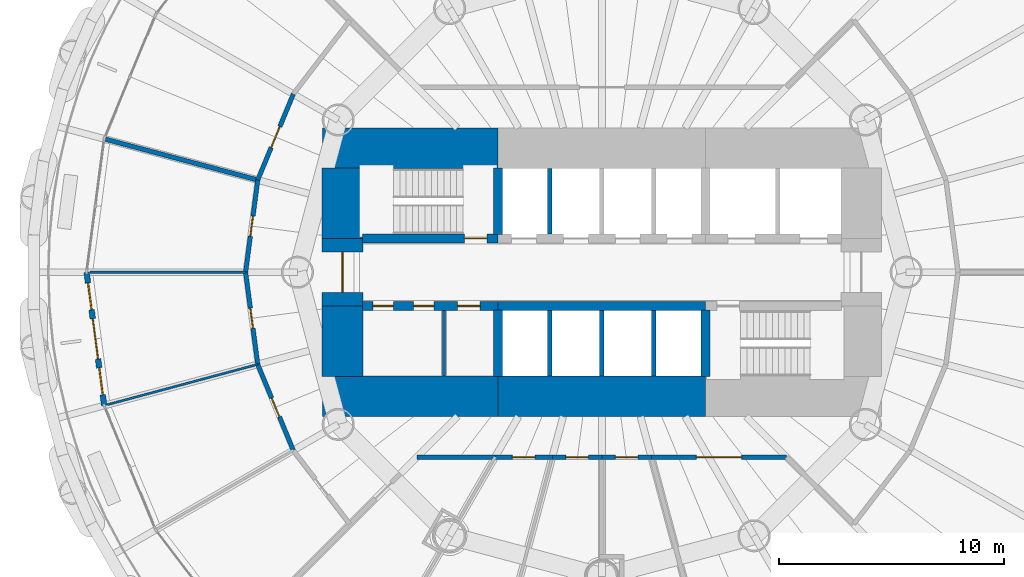
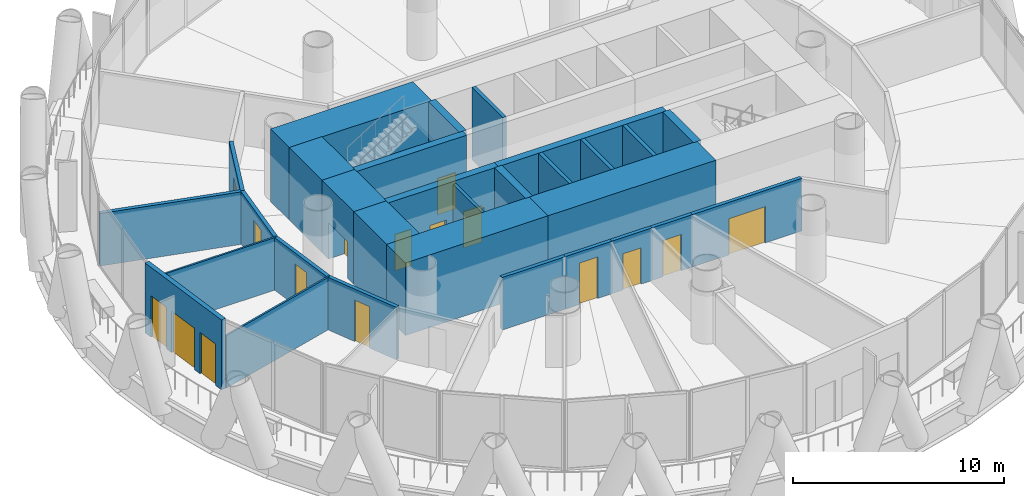
# One storey, part 10 of 16: 30 walls, 14 doors, 2 windows, 16 openings.
"""IFC4 building model written with IfcOpenShell, lengths in metres."""

import ifcopenshell
import ifcopenshell.guid

model = None  # the IFC model being written
_history = None  # IfcOwnerHistory: only IFC2X3 demands one
_inside = {}  # id of a spatial element -> (the spatial element, [elements in it])
_under = {}  # id of a project, library or spatial element -> (it, [spatial elements below it])
_declared = {}  # id of a project -> (the project, [libraries it declares])
_typed = {}  # id of a type object -> (the type object, [elements of that type])
_made_of = {}  # id of a material, layer set ... -> (it, [elements and type objects made of it])


def new_model(schema):
    """Start an empty IFC model of exactly this schema.

    Asked for "IFC4X3", IfcOpenShell would pick the latest addendum, in which some entities
    have other attributes; the version numbers below select the first issue.
    IFC2X3 requires an IfcOwnerHistory on every rooted entity: one is made here for all.
    """
    global model, _history
    if schema == "IFC4X3":
        model = ifcopenshell.file(schema_version=(4, 3, 0, 0))
    else:
        model = ifcopenshell.file(schema=schema)
    _inside.clear()
    _under.clear()
    _declared.clear()
    _typed.clear()
    _made_of.clear()
    _history = None
    if model.schema == "IFC2X3":
        org = make("IfcOrganization", Name="unknown")
        user = make(
            "IfcPersonAndOrganization",
            ThePerson=make("IfcPerson", FamilyName="unknown"),
            TheOrganization=org,
        )
        app = make(
            "IfcApplication",
            ApplicationDeveloper=org,
            Version="unknown",
            ApplicationFullName="unknown",
            ApplicationIdentifier="unknown",
        )
        _history = make(
            "IfcOwnerHistory",
            OwningUser=user,
            OwningApplication=app,
            ChangeAction="ADDED",
            CreationDate=0,
        )
    return model


def make(cls, **values):
    """One entity of the class cls with the attributes given. An attribute that is None is left unset."""
    return model.create_entity(
        cls, **{name: value for name, value in values.items() if value is not None}
    )


def rooted(cls, **values):
    """An entity with a GlobalId (a new one), such as an element, a storey or a relation."""
    return make(cls, GlobalId=ifcopenshell.guid.new(), OwnerHistory=_history, **values)


def si_unit(unit_type, name, prefix=None):
    """IfcSIUnit, for example si_unit("LENGTHUNIT", "METRE", prefix="MILLI")."""
    return make("IfcSIUnit", UnitType=unit_type, Prefix=prefix, Name=name)


def assignment(units):
    """IfcUnitAssignment: the units of a project."""
    return None if units is None else make("IfcUnitAssignment", Units=units)


def point(xyz):
    """IfcCartesianPoint."""
    return None if xyz is None else make("IfcCartesianPoint", Coordinates=xyz)


def direction(xyz):
    """IfcDirection."""
    return None if xyz is None else make("IfcDirection", DirectionRatios=xyz)


def frame(location, z_axis=None, x_axis=None):
    """IfcAxis2Placement3D, a coordinate frame: its origin and axes. An axis left out is left unset."""
    return make(
        "IfcAxis2Placement3D",
        Location=point(location),
        Axis=direction(z_axis),
        RefDirection=direction(x_axis),
    )


def frame_2d(location, x_axis=None):
    """IfcAxis2Placement2D, a coordinate frame in the plane: its origin and x axis."""
    return make(
        "IfcAxis2Placement2D", Location=point(location), RefDirection=direction(x_axis)
    )


def origin():
    """The frame at (0, 0, 0) with its axes left unset."""
    return frame((0.0, 0.0, 0.0))


def place(relative_to, where):
    """IfcLocalPlacement: puts the frame where relative to a parent placement (None: the world)."""
    return make(
        "IfcLocalPlacement", PlacementRelTo=relative_to, RelativePlacement=where
    )


def context(
    kind, dimensions, precision=None, world=None, true_north=None, identifier=None
):
    """IfcGeometricRepresentationContext, for example the 3D "Model" context."""
    return make(
        "IfcGeometricRepresentationContext",
        ContextIdentifier=identifier,
        ContextType=kind,
        CoordinateSpaceDimension=dimensions,
        Precision=precision,
        WorldCoordinateSystem=world,
        TrueNorth=true_north,
    )


def subcontext(parent, identifier, kind, view, scale=None):
    """IfcGeometricRepresentationSubContext, for example "Body" below "Model"."""
    return make(
        "IfcGeometricRepresentationSubContext",
        ContextIdentifier=identifier,
        ContextType=kind,
        ParentContext=parent,
        TargetScale=scale,
        TargetView=view,
    )


def project(units=None, contexts=None):
    """IfcProject with its units and contexts."""
    return rooted(
        "IfcProject",
        Name="project",
        RepresentationContexts=contexts,
        UnitsInContext=assignment(units),
    )


def spatial(cls, under=None, at=None, **own):
    """A site, building, storey or space (cls), placed at a placement, below another one or the project."""
    s = rooted(cls, ObjectPlacement=at, **own)
    if under is not None:
        _under.setdefault(under.id(), (under, []))[1].append(s)
    return s


def profile(cls, at=None, kind="AREA", **sizes):
    """A parametric profile (cls). Its sizes go by their IFC names, for example OverallWidth=200.0."""
    return make(cls, ProfileType=kind, Position=at, **sizes)


def rectangle(**sizes):
    """IfcRectangleProfileDef."""
    return profile("IfcRectangleProfileDef", **sizes)


def extrude(swept, where, along, depth):
    """IfcExtrudedAreaSolid: the profile swept, set in the frame where, extruded along a direction by depth."""
    return make(
        "IfcExtrudedAreaSolid",
        SweptArea=swept,
        Position=where,
        ExtrudedDirection=direction(along),
        Depth=depth,
    )


def shape(context_of_items, identifier, shape_type, items):
    """IfcShapeRepresentation: the items that make up one representation, for example the "Body"."""
    return make(
        "IfcShapeRepresentation",
        ContextOfItems=context_of_items,
        RepresentationIdentifier=identifier,
        RepresentationType=shape_type,
        Items=items,
    )


def material(Name=None, Category=None):
    """IfcMaterial."""
    return make("IfcMaterial", Name=Name, Category=Category)


def layer(
    of_material, thickness, ventilated=None, Name=None, Category=None, Priority=None
):
    """IfcMaterialLayer: one layer of a wall or slab, of a material (None: an air gap)."""
    return make(
        "IfcMaterialLayer",
        Material=of_material,
        LayerThickness=thickness,
        IsVentilated=ventilated,
        Name=Name,
        Category=Category,
        Priority=Priority,
    )


def layer_set(layers, Name=None):
    """IfcMaterialLayerSet."""
    return make("IfcMaterialLayerSet", MaterialLayers=layers, LayerSetName=Name)


def made_of(thing, what):
    """Note that an element or type object is made of a material, layer set ...; save() writes the relation."""
    if what is not None:
        _made_of.setdefault(what.id(), (what, []))[1].append(thing)
    return thing


def type_object(cls, material=None, **own):
    """A type object (cls), such as IfcWallType, which elements share."""
    return made_of(rooted(cls, **own), material)


def element(
    cls,
    number,
    at=None,
    inside=None,
    cuts=None,
    type_object=None,
    material=None,
    context=None,
    identifier="Body",
    shape_type=None,
    held_by="IfcProductDefinitionShape",
    body=None,
    shapes=None,
    **own,
):
    """One element of the class cls, such as IfcWall. Its Tag is "e" and its number.

    at: its placement. inside: the storey or other place that contains it. cuts: it is an
    opening in that element (IfcRelVoidsElement). A single representation is given by context,
    identifier, shape_type and body (its items); several are given by shapes. held_by: the class
    of the entity that holds the representations. save() writes the other relations.
    """
    e = rooted(cls, Tag="e%d" % number, ObjectPlacement=at, **own)
    if body is not None:
        shapes = [shape(context, identifier, shape_type, body)]
    if shapes is not None:
        e.Representation = make(held_by, Representations=shapes)
    if inside is not None:
        _inside.setdefault(inside.id(), (inside, []))[1].append(e)
    if cuts is not None:
        rooted(
            "IfcRelVoidsElement", RelatingBuildingElement=cuts, RelatedOpeningElement=e
        )
    if type_object is not None:
        _typed.setdefault(type_object.id(), (type_object, []))[1].append(e)
    return made_of(e, material)


def fill(opening, filler):
    """IfcRelFillsElement: the door or window that sits in an opening."""
    return rooted(
        "IfcRelFillsElement",
        RelatingOpeningElement=opening,
        RelatedBuildingElement=filler,
    )


def aggregate(whole, parts):
    """IfcRelAggregates: a whole, such as a stair, and the parts it consists of."""
    return rooted("IfcRelAggregates", RelatingObject=whole, RelatedObjects=parts)


def save(model, path):
    """Write the relations noted so far, then the file.

    IfcRelAggregates (storeys below a building ...), IfcRelContainedInSpatialStructure (elements
    in a storey), IfcRelDefinesByType, IfcRelAssociatesMaterial and IfcRelDeclares: one each for
    every whole, place, type object, material and project.
    """
    for whole, parts in _under.values():
        aggregate(whole, parts)
    for where, things in _inside.values():
        rooted(
            "IfcRelContainedInSpatialStructure",
            RelatedElements=things,
            RelatingStructure=where,
        )
    for kind, things in _typed.values():
        rooted("IfcRelDefinesByType", RelatedObjects=things, RelatingType=kind)
    for what, things in _made_of.values():
        rooted("IfcRelAssociatesMaterial", RelatedObjects=things, RelatingMaterial=what)
    for by, libraries in _declared.values():
        rooted("IfcRelDeclares", RelatingContext=by, RelatedDefinitions=libraries)
    model.write(path)


model = new_model("IFC4")

# Units and contexts
model_context = context("Model", 3, precision=1e-05, world=origin(), true_north=direction((0.0, 1.0)))
body_context = subcontext(model_context, "Body", "Model", "MODEL_VIEW")
ifc_project = project(units=[si_unit("LENGTHUNIT", "METRE"), si_unit("AREAUNIT", "SQUARE_METRE"), si_unit("VOLUMEUNIT", "CUBIC_METRE"), si_unit("PLANEANGLEUNIT", "RADIAN"), si_unit("MASSUNIT", "GRAM", prefix="KILO")], contexts=[model_context])

# Site, building, storey
site_placement = place(None, origin())
site = spatial("IfcSite", under=ifc_project, at=site_placement, CompositionType="ELEMENT")
building_placement = place(site_placement, origin())
building = spatial("IfcBuilding", under=site, at=building_placement, Name="Qaws Media Tower", CompositionType="ELEMENT")
storey_placement = place(building_placement, frame((0.0, 0.0, 63.800048828125)))
storey = spatial("IfcBuildingStorey", under=building, at=storey_placement, Name="L13", CompositionType="ELEMENT", Elevation=63.800048828125)

# Wall, openings, door, windows
ifc_material_1 = material(Name="Precast concrete, exposed finish", Category="concrete")
ifc_layer_1 = layer(ifc_material_1, 0.25)
ifc_layer_set_1 = layer_set([ifc_layer_1], Name="Balcony door wall 250")
wall_type_1 = type_object("IfcWallType", Name="Balcony door wall 250", PredefinedType="SOLIDWALL", material=ifc_layer_set_1)
wall_1_placement = place(storey_placement, frame((37.14990234375, 50.0, 0.0), z_axis=(0.0, 0.0, 1.0), x_axis=(0.130560384174, -0.991440359318, 0.0)))
wall_1 = element("IfcWall", 1, at=wall_1_placement, inside=storey, type_object=wall_type_1, Name="W141 EW1 balcony door wall L13-13", PredefinedType="SOLIDWALL", context=body_context, shape_type="SweptSolid", body=[
    extrude(rectangle(XDim=5.965087890625, YDim=0.25, at=frame_2d((2.982421875, 0.0))), origin(), (0.0, 0.0, 1.0), 4.0400390625),
])
opening_1_placement = place(wall_1_placement, frame((2.08251953125, 0.0, 0.0)))
opening_1 = element("IfcOpeningElement", 2, at=opening_1_placement, cuts=wall_1, Name="Opening D7", PredefinedType="OPENING", context=body_context, shape_type="SweptSolid", body=[
    extrude(rectangle(XDim=1.800048828125, YDim=2.39990234375, at=frame_2d((0.89990234375, 1.199951171875))), frame((0.0, 0.135009765625, 0.0), z_axis=(0.0, -1.0, 0.0), x_axis=(1.0, 0.0, 0.0)), (0.0, 0.0, 1.0), 0.27001953125),
])
opening_2_placement = place(wall_1_placement, frame((0.482421875, 0.0, 0.0)))
opening_2 = element("IfcOpeningElement", 3, at=opening_2_placement, cuts=wall_1, Name="Opening W1", PredefinedType="OPENING", context=body_context, shape_type="SweptSolid", body=[
    extrude(rectangle(XDim=1.199951171875, YDim=2.39990234375, at=frame_2d((0.60009765625, 1.199951171875))), frame((0.0, 0.135009765625, 0.0), z_axis=(0.0, -1.0, 0.0), x_axis=(1.0, 0.0, 0.0)), (0.0, 0.0, 1.0), 0.27001953125),
])
opening_3_placement = place(wall_1_placement, frame((4.282470703125, 0.0, 0.0)))
opening_3 = element("IfcOpeningElement", 4, at=opening_3_placement, cuts=wall_1, Name="Opening W1", PredefinedType="OPENING", context=body_context, shape_type="SweptSolid", body=[
    extrude(rectangle(XDim=1.199951171875, YDim=2.39990234375, at=frame_2d((0.60009765625, 1.199951171875))), frame((0.0, 0.135009765625, 0.0), z_axis=(0.0, -1.0, 0.0), x_axis=(1.0, 0.0, 0.0)), (0.0, 0.0, 1.0), 0.27001953125),
])
ifc_material_2 = material(Name="Aluminium and clear glass", Category="aluminium")
door_type_1 = type_object("IfcDoorType", Name="Balcony door pair 1800", OperationType="DOUBLE_DOOR_SLIDING", PredefinedType="DOOR", material=ifc_material_2)
door_1_placement = place(opening_1_placement, origin())
door_1 = element("IfcDoor", 5, at=door_1_placement, inside=storey, type_object=door_type_1, Name="D7 balcony door L13-13 in wall W141", OperationType="DOUBLE_DOOR_SLIDING", OverallHeight=2.39990234375, OverallWidth=1.800048828125, PredefinedType="DOOR", context=body_context, shape_type="SweptSolid", body=[
    extrude(rectangle(XDim=1.800048828125, YDim=2.39990234375, at=frame_2d((0.89990234375, 1.199951171875))), frame((0.0, 0.02490234375, 0.0), z_axis=(0.0, -1.0, 0.0), x_axis=(1.0, 0.0, 0.0)), (0.0, 0.0, 1.0), 0.050048828125),
])
fill(opening_1, door_1)
ifc_material_3 = material(Name="Aluminium and clear glass", Category="aluminium")
window_type = type_object("IfcWindowType", Name="Balcony side window 1200", PartitioningType="SINGLE_PANEL", PredefinedType="WINDOW", material=ifc_material_3)
window_1_placement = place(opening_2_placement, origin())
window_1 = element("IfcWindow", 6, at=window_1_placement, inside=storey, type_object=window_type, Name="W1 balcony side light L13-13L", OverallHeight=2.39990234375, OverallWidth=1.199951171875, PartitioningType="SINGLE_PANEL", PredefinedType="WINDOW", context=body_context, shape_type="SweptSolid", body=[
    extrude(rectangle(XDim=1.199951171875, YDim=2.39990234375, at=frame_2d((0.60009765625, 1.199951171875))), frame((0.0, 0.030029296875, 0.0), z_axis=(0.0, -1.0, 0.0), x_axis=(1.0, 0.0, 0.0)), (0.0, 0.0, 1.0), 0.06005859375),
])
fill(opening_2, window_1)
window_2_placement = place(opening_3_placement, origin())
window_2 = element("IfcWindow", 7, at=window_2_placement, inside=storey, type_object=window_type, Name="W1 balcony side light L13-13R", OverallHeight=2.39990234375, OverallWidth=1.199951171875, PartitioningType="SINGLE_PANEL", PredefinedType="WINDOW", context=body_context, shape_type="SweptSolid", body=[
    extrude(rectangle(XDim=1.199951171875, YDim=2.39990234375, at=frame_2d((0.60009765625, 1.199951171875))), frame((0.0, 0.030029296875, 0.0), z_axis=(0.0, -1.0, 0.0), x_axis=(1.0, 0.0, 0.0)), (0.0, 0.0, 1.0), 0.06005859375),
])
fill(opening_3, window_2)

# Wall, opening, door
ifc_material_4 = material(Name="Concrete C60/75", Category="concrete")
ifc_layer_2 = layer(ifc_material_4, 0.39990234375)
ifc_layer_set_2 = layer_set([ifc_layer_2], Name="Core inner wall 400")
wall_type_2 = type_object("IfcWallType", Name="Core inner wall 400", PredefinedType="SHEAR", material=ifc_layer_set_2)
wall_2_placement = place(storey_placement, frame((49.3798828125, 51.5, 0.0), z_axis=(0.0, 0.0, 1.0), x_axis=(1.0, 0.0, 0.0)))
wall_2 = element("IfcWall", 8, at=wall_2_placement, inside=storey, type_object=wall_type_2, Name="W311 SW4 core wall SPNW L13", PredefinedType="SHEAR", context=body_context, shape_type="SweptSolid", body=[
    extrude(rectangle(XDim=6.02001953125, YDim=0.39990234375, at=frame_2d((3.010009765625, 0.0))), origin(), (0.0, 0.0, 1.0), 4.199951171875),
])
opening_4_placement = place(wall_2_placement, frame((4.52001953125, 0.0, 0.0)))
opening_4 = element("IfcOpeningElement", 9, at=opening_4_placement, cuts=wall_2, Name="Opening D1", PredefinedType="OPENING", context=body_context, shape_type="SweptSolid", body=[
    extrude(rectangle(XDim=1.0, YDim=2.10009765625, at=frame_2d((0.5, 1.050048828125))), frame((0.0, 0.2099609375, 0.0), z_axis=(0.0, -1.0, 0.0), x_axis=(1.0, 0.0, 0.0)), (0.0, 0.0, 1.0), 0.419921875),
])
ifc_material_5 = material(Name="Steel, fire rated", Category="steel")
door_type_2 = type_object("IfcDoorType", Name="Stair door 1000 FD120", OperationType="SINGLE_SWING_LEFT", PredefinedType="DOOR", material=ifc_material_5)
door_2_placement = place(opening_4_placement, origin())
door_2 = element("IfcDoor", 10, at=door_2_placement, inside=storey, type_object=door_type_2, Name="D1 stair S1 door L13 in wall W311", OperationType="SINGLE_SWING_LEFT", OverallHeight=2.10009765625, OverallWidth=1.0, PredefinedType="DOOR", context=body_context, shape_type="SweptSolid", body=[
    extrude(rectangle(XDim=1.0, YDim=2.10009765625, at=frame_2d((0.5, 1.050048828125))), frame((0.0, 0.02490234375, 0.0), z_axis=(0.0, -1.0, 0.0), x_axis=(1.0, 0.0, 0.0)), (0.0, 0.0, 1.0), 0.050048828125),
])
fill(opening_4, door_2)

# Wall, openings, doors
wall_3_placement = place(storey_placement, frame((49.3798828125, 48.5, 0.0), z_axis=(0.0, 0.0, 1.0), x_axis=(1.0, 0.0, 0.0)))
wall_3 = element("IfcWall", 11, at=wall_3_placement, inside=storey, type_object=wall_type_2, Name="W310 SW4 core wall SPSW L13", PredefinedType="SHEAR", context=body_context, shape_type="SweptSolid", body=[
    extrude(rectangle(XDim=6.02001953125, YDim=0.39990234375, at=frame_2d((3.010009765625, 0.0))), origin(), (0.0, 0.0, 1.0), 4.199951171875),
])
opening_5_placement = place(wall_3_placement, frame((0.469970703125, 0.0, 0.0)))
opening_5 = element("IfcOpeningElement", 12, at=opening_5_placement, cuts=wall_3, Name="Opening D25", PredefinedType="OPENING", context=body_context, shape_type="SweptSolid", body=[
    extrude(rectangle(XDim=0.89990234375, YDim=2.10009765625, at=frame_2d((0.449951171875, 1.050048828125))), frame((0.0, 0.2099609375, 0.0), z_axis=(0.0, -1.0, 0.0), x_axis=(1.0, 0.0, 0.0)), (0.0, 0.0, 1.0), 0.419921875),
])
opening_6_placement = place(wall_3_placement, frame((2.27001953125, 0.0, 0.0)))
opening_6 = element("IfcOpeningElement", 13, at=opening_6_placement, cuts=wall_3, Name="Opening D25", PredefinedType="OPENING", context=body_context, shape_type="SweptSolid", body=[
    extrude(rectangle(XDim=0.89990234375, YDim=2.10009765625, at=frame_2d((0.449951171875, 1.050048828125))), frame((0.0, 0.2099609375, 0.0), z_axis=(0.0, -1.0, 0.0), x_axis=(1.0, 0.0, 0.0)), (0.0, 0.0, 1.0), 0.419921875),
])
opening_7_placement = place(wall_3_placement, frame((4.219970703125, 0.0, 0.0)))
opening_7 = element("IfcOpeningElement", 14, at=opening_7_placement, cuts=wall_3, Name="Opening D4", PredefinedType="OPENING", context=body_context, shape_type="SweptSolid", body=[
    extrude(rectangle(XDim=1.0, YDim=2.10009765625, at=frame_2d((0.5, 1.050048828125))), frame((0.0, 0.2099609375, 0.0), z_axis=(0.0, -1.0, 0.0), x_axis=(1.0, 0.0, 0.0)), (0.0, 0.0, 1.0), 0.419921875),
])
ifc_material_6 = material(Name="Timber veneered", Category="wood")
door_type_3 = type_object("IfcDoorType", Name="Accessible WC door 1000", OperationType="SLIDING_TO_LEFT", PredefinedType="DOOR", material=ifc_material_6)
door_3_placement = place(opening_7_placement, origin())
door_3 = element("IfcDoor", 15, at=door_3_placement, inside=storey, type_object=door_type_3, Name="D4 toilet door 3 L13 in wall W310", OperationType="SLIDING_TO_LEFT", OverallHeight=2.10009765625, OverallWidth=1.0, PredefinedType="DOOR", context=body_context, shape_type="SweptSolid", body=[
    extrude(rectangle(XDim=1.0, YDim=2.10009765625, at=frame_2d((0.5, 1.050048828125))), frame((0.0, 0.02490234375, 0.0), z_axis=(0.0, -1.0, 0.0), x_axis=(1.0, 0.0, 0.0)), (0.0, 0.0, 1.0), 0.050048828125),
])
fill(opening_7, door_3)
ifc_material_7 = material(Name="Steel, fire rated", Category="steel")
door_type_4 = type_object("IfcDoorType", Name="Core service door 900", OperationType="SINGLE_SWING_RIGHT", PredefinedType="DOOR", material=ifc_material_7)
door_4_placement = place(opening_5_placement, origin())
door_4 = element("IfcDoor", 16, at=door_4_placement, inside=storey, type_object=door_type_4, Name="D25 toilet door 1 L13 in wall W310", OperationType="SINGLE_SWING_RIGHT", OverallHeight=2.10009765625, OverallWidth=0.89990234375, PredefinedType="DOOR", context=body_context, shape_type="SweptSolid", body=[
    extrude(rectangle(XDim=0.89990234375, YDim=2.10009765625, at=frame_2d((0.449951171875, 1.050048828125))), frame((0.0, 0.02490234375, 0.0), z_axis=(0.0, -1.0, 0.0), x_axis=(1.0, 0.0, 0.0)), (0.0, 0.0, 1.0), 0.050048828125),
])
fill(opening_5, door_4)
door_5_placement = place(opening_6_placement, origin())
door_5 = element("IfcDoor", 17, at=door_5_placement, inside=storey, type_object=door_type_4, Name="D25 toilet door 2 L13 in wall W310", OperationType="SINGLE_SWING_RIGHT", OverallHeight=2.10009765625, OverallWidth=0.89990234375, PredefinedType="DOOR", context=body_context, shape_type="SweptSolid", body=[
    extrude(rectangle(XDim=0.89990234375, YDim=2.10009765625, at=frame_2d((0.449951171875, 1.050048828125))), frame((0.0, 0.02490234375, 0.0), z_axis=(0.0, -1.0, 0.0), x_axis=(1.0, 0.0, 0.0)), (0.0, 0.0, 1.0), 0.050048828125),
])
fill(opening_6, door_5)

# Walls
wall_4_placement = place(storey_placement, frame((55.39990234375, 48.5, 0.0), z_axis=(0.0, 0.0, 1.0), x_axis=(1.0, 0.0, 0.0)))
element("IfcWall", 18, at=wall_4_placement, inside=storey, type_object=wall_type_2, Name="W313 SW4 core wall SPS L13", PredefinedType="SHEAR", context=body_context, shape_type="SweptSolid", body=[
    extrude(rectangle(XDim=9.2001953125, YDim=0.39990234375, at=frame_2d((4.60009765625, 0.0))), origin(), (0.0, 0.0, 1.0), 4.199951171875),
])
for number, where, z_axis, x_axis, name in (
    (19, (55.39990234375, 51.679931640625, 0.0), (0.0, 0.0, 1.0), (0.0, 1.0, 0.0), "W315 SW4 core wall XNW L13"),
    (20, (55.39990234375, 48.320068359375, 0.0), (0.0, 0.0, 1.0), (0.0, -1.0, 0.0), "W312 SW4 core wall XSW L13"),
    (21, (64.60009765625, 48.320068359375, 0.0), (0.0, 0.0, 1.0), (0.0, -1.0, 0.0), "W316 SW4 core wall XSE L13"),
):
    element("IfcWall", number, at=place(storey_placement, frame(where, z_axis=z_axis, x_axis=x_axis)), inside=storey, type_object=wall_type_2, Name=name, PredefinedType="SHEAR", context=body_context, shape_type="SweptSolid", body=[
        extrude(rectangle(XDim=2.940185546875, YDim=0.39990234375, at=frame_2d((1.47021484375, 0.0))), origin(), (0.0, 0.0, 1.0), 4.199951171875),
    ])
ifc_material_8 = material(Name="Concrete C60/75", Category="concrete")
ifc_layer_3 = layer(ifc_material_8, 1.800048828125)
ifc_layer_set_3 = layer_set([ifc_layer_3], Name="Core wall 1800")
wall_type_3 = type_object("IfcWallType", Name="Core wall 1800", PredefinedType="SHEAR", material=ifc_layer_set_3)
for number, where, z_axis, x_axis, name in (
    (22, (47.60009765625, 55.5, 0.0), (0.0, 0.0, 1.0), (1.0, 0.0, 0.0), "W399 SW11 core wall NW L13"),
    (23, (47.60009765625, 44.5, 0.0), (0.0, 0.0, 1.0), (1.0, 0.0, 0.0), "W398 SW11 core wall SW L13"),
):
    element("IfcWall", number, at=place(storey_placement, frame(where, z_axis=z_axis, x_axis=x_axis)), inside=storey, type_object=wall_type_3, Name=name, PredefinedType="SHEAR", context=body_context, shape_type="SweptSolid", body=[
        extrude(rectangle(XDim=7.7998046875, YDim=1.800048828125, at=frame_2d((3.89990234375, 0.0))), origin(), (0.0, 0.0, 1.0), 4.199951171875),
    ])
wall_5_placement = place(storey_placement, frame((55.39990234375, 44.5, 0.0), z_axis=(0.0, 0.0, 1.0), x_axis=(1.0, 0.0, 0.0)))
element("IfcWall", 24, at=wall_5_placement, inside=storey, type_object=wall_type_3, Name="W403 SW11 core wall S L13", PredefinedType="SHEAR", context=body_context, shape_type="SweptSolid", body=[
    extrude(rectangle(XDim=9.2001953125, YDim=1.800048828125, at=frame_2d((4.60009765625, 0.0))), origin(), (0.0, 0.0, 1.0), 4.199951171875),
])
wall_6_placement = place(storey_placement, frame((48.5, 45.3798828125, 0.0), z_axis=(0.0, 0.0, 1.0), x_axis=(0.0, 1.0, 0.0)))
element("IfcWall", 25, at=wall_6_placement, inside=storey, type_object=wall_type_3, Name="W400 SW11 core wall WS L13", PredefinedType="SHEAR", context=body_context, shape_type="SweptSolid", body=[
    extrude(rectangle(XDim=3.1201171875, YDim=1.800048828125, at=frame_2d((1.56005859375, 0.0))), origin(), (0.0, 0.0, 1.0), 4.199951171875),
])

# Wall, opening, door
wall_7_placement = place(storey_placement, frame((48.5, 48.5, 0.0), z_axis=(0.0, 0.0, 1.0), x_axis=(0.0, 1.0, 0.0)))
wall_7 = element("IfcWall", 26, at=wall_7_placement, inside=storey, type_object=wall_type_3, Name="W401 SW11 core wall W L13", PredefinedType="SHEAR", context=body_context, shape_type="SweptSolid", body=[
    extrude(rectangle(XDim=3.0, YDim=1.800048828125, at=frame_2d((1.5, 0.0))), origin(), (0.0, 0.0, 1.0), 4.199951171875),
])
opening_8_placement = place(wall_7_placement, frame((0.60009765625, 0.0, 0.0)))
opening_8 = element("IfcOpeningElement", 27, at=opening_8_placement, cuts=wall_7, Name="Opening D2", PredefinedType="OPENING", context=body_context, shape_type="SweptSolid", body=[
    extrude(rectangle(XDim=1.800048828125, YDim=2.10009765625, at=frame_2d((0.89990234375, 1.050048828125))), frame((0.0, 0.909912109375, 0.0), z_axis=(0.0, -1.0, 0.0), x_axis=(1.0, 0.0, 0.0)), (0.0, 0.0, 1.0), 1.820068359375),
])
ifc_material_9 = material(Name="Steel and glass, fire rated", Category="steel")
door_type_5 = type_object("IfcDoorType", Name="Lobby door pair 1800 FD60", OperationType="DOUBLE_DOOR_DOUBLE_SWING", PredefinedType="DOOR", material=ifc_material_9)
door_6_placement = place(opening_8_placement, origin())
door_6 = element("IfcDoor", 28, at=door_6_placement, inside=storey, type_object=door_type_5, Name="D2 core lobby door W L13 in wall W401", OperationType="DOUBLE_DOOR_DOUBLE_SWING", OverallHeight=2.10009765625, OverallWidth=1.800048828125, PredefinedType="DOOR", context=body_context, shape_type="SweptSolid", body=[
    extrude(rectangle(XDim=1.800048828125, YDim=2.10009765625, at=frame_2d((0.89990234375, 1.050048828125))), frame((0.0, 0.02490234375, 0.0), z_axis=(0.0, -1.0, 0.0), x_axis=(1.0, 0.0, 0.0)), (0.0, 0.0, 1.0), 0.050048828125),
])
fill(opening_8, door_6)

# Walls
wall_8_placement = place(storey_placement, frame((48.5, 51.5, 0.0), z_axis=(0.0, 0.0, 1.0), x_axis=(0.0, 1.0, 0.0)))
element("IfcWall", 29, at=wall_8_placement, inside=storey, type_object=wall_type_3, Name="W402 SW11 core wall WN L13", PredefinedType="SHEAR", context=body_context, shape_type="SweptSolid", body=[
    extrude(rectangle(XDim=3.1201171875, YDim=1.800048828125, at=frame_2d((1.56005859375, 0.0))), origin(), (0.0, 0.0, 1.0), 4.199951171875),
])
ifc_material_10 = material(Name="Gypsum board on 70 metal studs, single layer each side", Category="gypsum")
ifc_layer_4 = layer(ifc_material_10, 0.10009765625)
ifc_layer_set_4 = layer_set([ifc_layer_4], Name="Office stud partition 100")
wall_type_4 = type_object("IfcWallType", Name="Office stud partition 100", PredefinedType="PARTITIONING", material=ifc_layer_set_4)
for number, where, z_axis, x_axis, name in (
    (30, (44.199951171875, 50.0, 0.0), (0.0, 0.0, 1.0), (-1.0, 0.0, 0.0), "W643 IW4 partition L13"),
    (31, (44.73828125, 45.91064453125, 0.0), (0.0, 0.0, 1.0), (-0.96592991555, -0.258803783291, 0.0), "W644 IW4 partition L13"),
):
    element("IfcWall", number, at=place(storey_placement, frame(where, z_axis=z_axis, x_axis=x_axis)), inside=storey, type_object=wall_type_4, Name=name, PredefinedType="PARTITIONING", context=body_context, shape_type="SweptSolid", body=[
        extrude(rectangle(XDim=6.909912109375, YDim=0.10009765625, at=frame_2d((3.455078125, 0.0))), origin(), (0.0, 0.0, 1.0), 3.0400390625),
    ])

# Wall, opening, door
ifc_material_11 = material(Name="Gypsum board on galvanised metal studs, acoustic double stud, deflection head", Category="gypsum")
ifc_layer_5 = layer(ifc_material_11, 0.199951171875)
ifc_layer_set_5 = layer_set([ifc_layer_5], Name="Room partition 200")
wall_type_5 = type_object("IfcWallType", Name="Room partition 200", PredefinedType="PARTITIONING", material=ifc_layer_set_5)
wall_9_placement = place(storey_placement, frame((46.31689453125, 42.10009765625, 0.0), z_axis=(0.0, 0.0, 1.0), x_axis=(-0.382731667114, 0.923859551549, 0.0)))
wall_9 = element("IfcWall", 32, at=wall_9_placement, inside=storey, type_object=wall_type_5, Name="W946 IW3 partition L13", PredefinedType="PARTITIONING", context=body_context, shape_type="SweptSolid", body=[
    extrude(rectangle(XDim=4.12451171875, YDim=0.199951171875, at=frame_2d((2.062255859375, 0.0))), origin(), (0.0, 0.0, 1.0), 3.0400390625),
])
opening_9_placement = place(wall_9_placement, frame((1.6123046875, 0.0, 0.0)))
opening_9 = element("IfcOpeningElement", 33, at=opening_9_placement, cuts=wall_9, Name="Opening D12", PredefinedType="OPENING", context=body_context, shape_type="SweptSolid", body=[
    extrude(rectangle(XDim=0.89990234375, YDim=2.39990234375, at=frame_2d((0.449951171875, 1.199951171875))), frame((0.0, 0.10986328125, 0.0), z_axis=(0.0, -1.0, 0.0), x_axis=(1.0, 0.0, 0.0)), (0.0, 0.0, 1.0), 0.219970703125),
])
ifc_material_12 = material(Name="Timber veneered, full height", Category="wood")
door_type_6 = type_object("IfcDoorType", Name="Office door 900x2400", OperationType="SINGLE_SWING_LEFT", PredefinedType="DOOR", material=ifc_material_12)
door_7_placement = place(opening_9_placement, origin())
door_7 = element("IfcDoor", 34, at=door_7_placement, inside=storey, type_object=door_type_6, Name="D12 Editor's office door L13 in wall W946", OperationType="SINGLE_SWING_LEFT", OverallHeight=2.39990234375, OverallWidth=0.89990234375, PredefinedType="DOOR", context=body_context, shape_type="SweptSolid", body=[
    extrude(rectangle(XDim=0.89990234375, YDim=2.39990234375, at=frame_2d((0.449951171875, 1.199951171875))), frame((0.0, 0.02490234375, 0.0), z_axis=(0.0, -1.0, 0.0), x_axis=(1.0, 0.0, 0.0)), (0.0, 0.0, 1.0), 0.050048828125),
])
fill(opening_9, door_7)

wall_10_placement = place(storey_placement, frame((44.73828125, 45.91064453125, 0.0), z_axis=(0.0, 0.0, 1.0), x_axis=(-0.130515758099, 0.991446234996, 0.0)))
wall_10 = element("IfcWall", 35, at=wall_10_placement, inside=storey, type_object=wall_type_5, Name="W943 IW3 partition L13", PredefinedType="PARTITIONING", context=body_context, shape_type="SweptSolid", body=[
    extrude(rectangle(XDim=4.124755859375, YDim=0.199951171875, at=frame_2d((2.0625, 0.0))), origin(), (0.0, 0.0, 1.0), 3.0400390625),
])
opening_10_placement = place(wall_10_placement, frame((1.6123046875, 0.0, 0.0)))
opening_10 = element("IfcOpeningElement", 36, at=opening_10_placement, cuts=wall_10, Name="Opening D12", PredefinedType="OPENING", context=body_context, shape_type="SweptSolid", body=[
    extrude(rectangle(XDim=0.89990234375, YDim=2.39990234375, at=frame_2d((0.449951171875, 1.199951171875))), frame((0.0, 0.10986328125, 0.0), z_axis=(0.0, -1.0, 0.0), x_axis=(1.0, 0.0, 0.0)), (0.0, 0.0, 1.0), 0.219970703125),
])
door_8_placement = place(opening_10_placement, origin())
door_8 = element("IfcDoor", 37, at=door_8_placement, inside=storey, type_object=door_type_6, Name="D12 Editor's office door L13 in wall W943", OperationType="SINGLE_SWING_LEFT", OverallHeight=2.39990234375, OverallWidth=0.89990234375, PredefinedType="DOOR", context=body_context, shape_type="SweptSolid", body=[
    extrude(rectangle(XDim=0.89990234375, YDim=2.39990234375, at=frame_2d((0.449951171875, 1.199951171875))), frame((0.0, 0.02490234375, 0.0), z_axis=(0.0, -1.0, 0.0), x_axis=(1.0, 0.0, 0.0)), (0.0, 0.0, 1.0), 0.050048828125),
])
fill(opening_10, door_8)

wall_11_placement = place(storey_placement, frame((44.199951171875, 50.0, 0.0), z_axis=(0.0, 0.0, 1.0), x_axis=(0.130515758099, 0.991446234996, 0.0)))
wall_11 = element("IfcWall", 38, at=wall_11_placement, inside=storey, type_object=wall_type_5, Name="W941 IW3 partition L13", PredefinedType="PARTITIONING", context=body_context, shape_type="SweptSolid", body=[
    extrude(rectangle(XDim=4.124755859375, YDim=0.199951171875, at=frame_2d((2.0625, 0.0))), origin(), (0.0, 0.0, 1.0), 3.0400390625),
])
opening_11_placement = place(wall_11_placement, frame((1.6123046875, 0.0, 0.0)))
opening_11 = element("IfcOpeningElement", 39, at=opening_11_placement, cuts=wall_11, Name="Opening D12", PredefinedType="OPENING", context=body_context, shape_type="SweptSolid", body=[
    extrude(rectangle(XDim=0.89990234375, YDim=2.39990234375, at=frame_2d((0.449951171875, 1.199951171875))), frame((0.0, 0.10986328125, 0.0), z_axis=(0.0, -1.0, 0.0), x_axis=(1.0, 0.0, 0.0)), (0.0, 0.0, 1.0), 0.219970703125),
])
door_9_placement = place(opening_11_placement, origin())
door_9 = element("IfcDoor", 40, at=door_9_placement, inside=storey, type_object=door_type_6, Name="D12 Editor's office door L13 in wall W941", OperationType="SINGLE_SWING_LEFT", OverallHeight=2.39990234375, OverallWidth=0.89990234375, PredefinedType="DOOR", context=body_context, shape_type="SweptSolid", body=[
    extrude(rectangle(XDim=0.89990234375, YDim=2.39990234375, at=frame_2d((0.449951171875, 1.199951171875))), frame((0.0, 0.02490234375, 0.0), z_axis=(0.0, -1.0, 0.0), x_axis=(1.0, 0.0, 0.0)), (0.0, 0.0, 1.0), 0.050048828125),
])
fill(opening_11, door_9)

wall_12_placement = place(storey_placement, frame((44.73828125, 54.08935546875, 0.0), z_axis=(0.0, 0.0, 1.0), x_axis=(0.382731667114, 0.923859551549, 0.0)))
wall_12 = element("IfcWall", 41, at=wall_12_placement, inside=storey, type_object=wall_type_5, Name="W944 IW3 partition L13", PredefinedType="PARTITIONING", context=body_context, shape_type="SweptSolid", body=[
    extrude(rectangle(XDim=4.12451171875, YDim=0.199951171875, at=frame_2d((2.062255859375, 0.0))), origin(), (0.0, 0.0, 1.0), 3.0400390625),
])
opening_12_placement = place(wall_12_placement, frame((1.562255859375, 0.0, 0.0)))
opening_12 = element("IfcOpeningElement", 42, at=opening_12_placement, cuts=wall_12, Name="Opening D5", PredefinedType="OPENING", context=body_context, shape_type="SweptSolid", body=[
    extrude(rectangle(XDim=1.0, YDim=2.10009765625, at=frame_2d((0.5, 1.050048828125))), frame((0.0, 0.10986328125, 0.0), z_axis=(0.0, -1.0, 0.0), x_axis=(1.0, 0.0, 0.0)), (0.0, 0.0, 1.0), 0.219970703125),
])
ifc_material_13 = material(Name="Timber veneered, acoustic seal", Category="wood")
door_type_7 = type_object("IfcDoorType", Name="Room door 1000", OperationType="SINGLE_SWING_LEFT", PredefinedType="DOOR", material=ifc_material_13)
door_10_placement = place(opening_12_placement, origin())
door_10 = element("IfcDoor", 43, at=door_10_placement, inside=storey, type_object=door_type_7, Name="D5 News meeting room door L13 in wall W944", OperationType="SINGLE_SWING_LEFT", OverallHeight=2.10009765625, OverallWidth=1.0, PredefinedType="DOOR", context=body_context, shape_type="SweptSolid", body=[
    extrude(rectangle(XDim=1.0, YDim=2.10009765625, at=frame_2d((0.5, 1.050048828125))), frame((0.0, 0.02490234375, 0.0), z_axis=(0.0, -1.0, 0.0), x_axis=(1.0, 0.0, 0.0)), (0.0, 0.0, 1.0), 0.050048828125),
])
fill(opening_12, door_10)

wall_13_placement = place(storey_placement, frame((68.199951171875, 41.800048828125, 0.0), z_axis=(0.0, 0.0, 1.0), x_axis=(-1.0, 0.0, 0.0)))
wall_13 = element("IfcWall", 44, at=wall_13_placement, inside=storey, type_object=wall_type_5, Name="W1052 IW3 partition L13", PredefinedType="PARTITIONING", context=body_context, shape_type="SweptSolid", body=[
    extrude(rectangle(XDim=6.002685546875, YDim=0.199951171875, at=frame_2d((3.00146484375, 0.0))), origin(), (0.0, 0.0, 1.0), 3.0400390625),
])
opening_13_placement = place(wall_13_placement, frame((2.00146484375, 0.0, 0.0)))
opening_13 = element("IfcOpeningElement", 45, at=opening_13_placement, cuts=wall_13, Name="Opening D6", PredefinedType="OPENING", context=body_context, shape_type="SweptSolid", body=[
    extrude(rectangle(XDim=2.0, YDim=2.10009765625, at=frame_2d((1.0, 1.050048828125))), frame((0.0, 0.10986328125, 0.0), z_axis=(0.0, -1.0, 0.0), x_axis=(1.0, 0.0, 0.0)), (0.0, 0.0, 1.0), 0.219970703125),
])
ifc_material_14 = material(Name="Steel, acoustic, fire rated", Category="steel")
door_type_8 = type_object("IfcDoorType", Name="Room door pair 2000", OperationType="DOUBLE_DOOR_DOUBLE_SWING", PredefinedType="DOOR", material=ifc_material_14)
door_11_placement = place(opening_13_placement, origin())
door_11 = element("IfcDoor", 46, at=door_11_placement, inside=storey, type_object=door_type_8, Name="D6 Newsroom door L13 in wall W1052", OperationType="DOUBLE_DOOR_DOUBLE_SWING", OverallHeight=2.10009765625, OverallWidth=2.0, PredefinedType="DOOR", context=body_context, shape_type="SweptSolid", body=[
    extrude(rectangle(XDim=2.0, YDim=2.10009765625, at=frame_2d((1.0, 1.050048828125))), frame((0.0, 0.02490234375, 0.0), z_axis=(0.0, -1.0, 0.0), x_axis=(1.0, 0.0, 0.0)), (0.0, 0.0, 1.0), 0.050048828125),
])
fill(opening_13, door_11)

wall_14_placement = place(storey_placement, frame((62.197265625, 41.800048828125, 0.0), z_axis=(0.0, 0.0, 1.0), x_axis=(-1.0, 0.0, 0.0)))
wall_14 = element("IfcWall", 47, at=wall_14_placement, inside=storey, type_object=wall_type_5, Name="W1051 IW3 partition L13", PredefinedType="PARTITIONING", context=body_context, shape_type="SweptSolid", body=[
    extrude(rectangle(XDim=2.197265625, YDim=0.199951171875, at=frame_2d((1.0986328125, 0.0))), origin(), (0.0, 0.0, 1.0), 3.0400390625),
])
opening_14_placement = place(wall_14_placement, frame((0.5986328125, 0.0, 0.0)))
opening_14 = element("IfcOpeningElement", 48, at=opening_14_placement, cuts=wall_14, Name="Opening D5", PredefinedType="OPENING", context=body_context, shape_type="SweptSolid", body=[
    extrude(rectangle(XDim=1.0, YDim=2.10009765625, at=frame_2d((0.5, 1.050048828125))), frame((0.0, 0.10986328125, 0.0), z_axis=(0.0, -1.0, 0.0), x_axis=(1.0, 0.0, 0.0)), (0.0, 0.0, 1.0), 0.219970703125),
])
door_12_placement = place(opening_14_placement, origin())
door_12 = element("IfcDoor", 49, at=door_12_placement, inside=storey, type_object=door_type_7, Name="D5 Ladies toilets door L13 in wall W1051", OperationType="SINGLE_SWING_LEFT", OverallHeight=2.10009765625, OverallWidth=1.0, PredefinedType="DOOR", context=body_context, shape_type="SweptSolid", body=[
    extrude(rectangle(XDim=1.0, YDim=2.10009765625, at=frame_2d((0.5, 1.050048828125))), frame((0.0, 0.02490234375, 0.0), z_axis=(0.0, -1.0, 0.0), x_axis=(1.0, 0.0, 0.0)), (0.0, 0.0, 1.0), 0.050048828125),
])
fill(opening_14, door_12)

wall_15_placement = place(storey_placement, frame((60.0, 41.800048828125, 0.0), z_axis=(0.0, 0.0, 1.0), x_axis=(-1.0, 0.0, 0.0)))
wall_15 = element("IfcWall", 50, at=wall_15_placement, inside=storey, type_object=wall_type_5, Name="W972 IW3 partition L13", PredefinedType="PARTITIONING", context=body_context, shape_type="SweptSolid", body=[
    extrude(rectangle(XDim=2.197265625, YDim=0.199951171875, at=frame_2d((1.0986328125, 0.0))), origin(), (0.0, 0.0, 1.0), 3.0400390625),
])
opening_15_placement = place(wall_15_placement, frame((0.5986328125, 0.0, 0.0)))
opening_15 = element("IfcOpeningElement", 51, at=opening_15_placement, cuts=wall_15, Name="Opening D5", PredefinedType="OPENING", context=body_context, shape_type="SweptSolid", body=[
    extrude(rectangle(XDim=1.0, YDim=2.10009765625, at=frame_2d((0.5, 1.050048828125))), frame((0.0, 0.10986328125, 0.0), z_axis=(0.0, -1.0, 0.0), x_axis=(1.0, 0.0, 0.0)), (0.0, 0.0, 1.0), 0.219970703125),
])
door_13_placement = place(opening_15_placement, origin())
door_13 = element("IfcDoor", 52, at=door_13_placement, inside=storey, type_object=door_type_7, Name="D5 Gents toilets door L13 in wall W972", OperationType="SINGLE_SWING_LEFT", OverallHeight=2.10009765625, OverallWidth=1.0, PredefinedType="DOOR", context=body_context, shape_type="SweptSolid", body=[
    extrude(rectangle(XDim=1.0, YDim=2.10009765625, at=frame_2d((0.5, 1.050048828125))), frame((0.0, 0.02490234375, 0.0), z_axis=(0.0, -1.0, 0.0), x_axis=(1.0, 0.0, 0.0)), (0.0, 0.0, 1.0), 0.050048828125),
])
fill(opening_15, door_13)

wall_16_placement = place(storey_placement, frame((57.802734375, 41.800048828125, 0.0), z_axis=(0.0, 0.0, 1.0), x_axis=(-1.0, 0.0, 0.0)))
wall_16 = element("IfcWall", 53, at=wall_16_placement, inside=storey, type_object=wall_type_5, Name="W971 IW3 partition L13", PredefinedType="PARTITIONING", context=body_context, shape_type="SweptSolid", body=[
    extrude(rectangle(XDim=2.537109375, YDim=0.199951171875, at=frame_2d((1.2685546875, 0.0))), origin(), (0.0, 0.0, 1.0), 3.0400390625),
])
opening_16_placement = place(wall_16_placement, frame((0.7685546875, 0.0, 0.0)))
opening_16 = element("IfcOpeningElement", 54, at=opening_16_placement, cuts=wall_16, Name="Opening D13", PredefinedType="OPENING", context=body_context, shape_type="SweptSolid", body=[
    extrude(rectangle(XDim=1.0, YDim=2.39990234375, at=frame_2d((0.5, 1.199951171875))), frame((0.0, 0.10986328125, 0.0), z_axis=(0.0, -1.0, 0.0), x_axis=(1.0, 0.0, 0.0)), (0.0, 0.0, 1.0), 0.219970703125),
])
ifc_material_15 = material(Name="Frameless toughened glass, acoustic seals", Category="glass")
door_type_9 = type_object("IfcDoorType", Name="Glazed meeting room door 1000x2400", OperationType="SINGLE_SWING_LEFT", PredefinedType="DOOR", material=ifc_material_15)
door_14_placement = place(opening_16_placement, origin())
door_14 = element("IfcDoor", 55, at=door_14_placement, inside=storey, type_object=door_type_9, Name="D13 Quiet room door L13 in wall W971", OperationType="SINGLE_SWING_LEFT", OverallHeight=2.39990234375, OverallWidth=1.0, PredefinedType="DOOR", context=body_context, shape_type="SweptSolid", body=[
    extrude(rectangle(XDim=1.0, YDim=2.39990234375, at=frame_2d((0.5, 1.199951171875))), frame((0.0, 0.02490234375, 0.0), z_axis=(0.0, -1.0, 0.0), x_axis=(1.0, 0.0, 0.0)), (0.0, 0.0, 1.0), 0.050048828125),
])
fill(opening_16, door_14)

# Walls
wall_17_placement = place(storey_placement, frame((55.265625, 41.800048828125, 0.0), z_axis=(0.0, 0.0, 1.0), x_axis=(-1.0, 0.0, 0.0)))
element("IfcWall", 56, at=wall_17_placement, inside=storey, type_object=wall_type_5, Name="W968 IW3 partition L13", PredefinedType="PARTITIONING", context=body_context, shape_type="SweptSolid", body=[
    extrude(rectangle(XDim=3.465576171875, YDim=0.199951171875, at=frame_2d((1.73291015625, 0.0))), origin(), (0.0, 0.0, 1.0), 3.0400390625),
])
wall_18_placement = place(storey_placement, frame((44.73828125, 54.08935546875, 0.0), z_axis=(0.0, 0.0, 1.0), x_axis=(-0.965919756399, 0.258841697179, 0.0)))
element("IfcWall", 57, at=wall_18_placement, inside=storey, type_object=wall_type_5, Name="W1061 IW3 partition L13", PredefinedType="PARTITIONING", context=body_context, shape_type="SweptSolid", body=[
    extrude(rectangle(XDim=7.010009765625, YDim=0.199951171875, at=frame_2d((3.5048828125, 0.0))), origin(), (0.0, 0.0, 1.0), 3.0400390625),
])
ifc_material_16 = material(Name="Fire-rated gypsum board shaft wall on galvanised metal studs, deflection head", Category="gypsum")
ifc_layer_6 = layer(ifc_material_16, 0.199951171875)
ifc_layer_set_6 = layer_set([ifc_layer_6], Name="Shaft wall 200")
wall_type_6 = type_object("IfcWallType", Name="Shaft wall 200", PredefinedType="PARTITIONING", material=ifc_layer_set_6)
for number, where, z_axis, x_axis, name in (
    (58, (57.699951171875, 51.699951171875, 0.0), (0.0, 0.0, 1.0), (0.0, 1.0, 0.0), "W1842 IW1 shaft wall N1 L13"),
    (59, (57.699951171875, 45.39990234375, 0.0), (0.0, 0.0, 1.0), (0.0, 1.0, 0.0), "W1835 IW1 shaft wall S1 L13"),
    (60, (60.0, 45.39990234375, 0.0), (0.0, 0.0, 1.0), (0.0, 1.0, 0.0), "W1837 IW1 shaft wall S2 L13"),
    (61, (62.300048828125, 45.39990234375, 0.0), (0.0, 0.0, 1.0), (0.0, 1.0, 0.0), "W1839 IW1 shaft wall S3 L13"),
):
    element("IfcWall", number, at=place(storey_placement, frame(where, z_axis=z_axis, x_axis=x_axis)), inside=storey, type_object=wall_type_6, Name=name, PredefinedType="PARTITIONING", context=body_context, shape_type="SweptSolid", body=[
        extrude(rectangle(XDim=2.900146484375, YDim=0.199951171875, at=frame_2d((1.4501953125, 0.0))), origin(), (0.0, 0.0, 1.0), 4.199951171875),
    ])
ifc_material_17 = material(Name="Gypsum board on galvanised metal studs, deflection head", Category="gypsum")
ifc_layer_7 = layer(ifc_material_17, 0.14990234375)
ifc_layer_set_7 = layer_set([ifc_layer_7], Name="WC partition 150")
wall_type_7 = type_object("IfcWallType", Name="WC partition 150", PredefinedType="PARTITIONING", material=ifc_layer_set_7)
wall_19_placement = place(storey_placement, frame((53.0, 45.39990234375, 0.0), z_axis=(0.0, 0.0, 1.0), x_axis=(0.0, 1.0, 0.0)))
element("IfcWall", 62, at=wall_19_placement, inside=storey, type_object=wall_type_7, Name="W1906 IW2 toilet partition 1 L13", PredefinedType="PARTITIONING", context=body_context, shape_type="SweptSolid", body=[
    extrude(rectangle(XDim=2.900146484375, YDim=0.14990234375, at=frame_2d((1.4501953125, 0.0))), origin(), (0.0, 0.0, 1.0), 4.0400390625),
])

save(model, "model.ifc")
